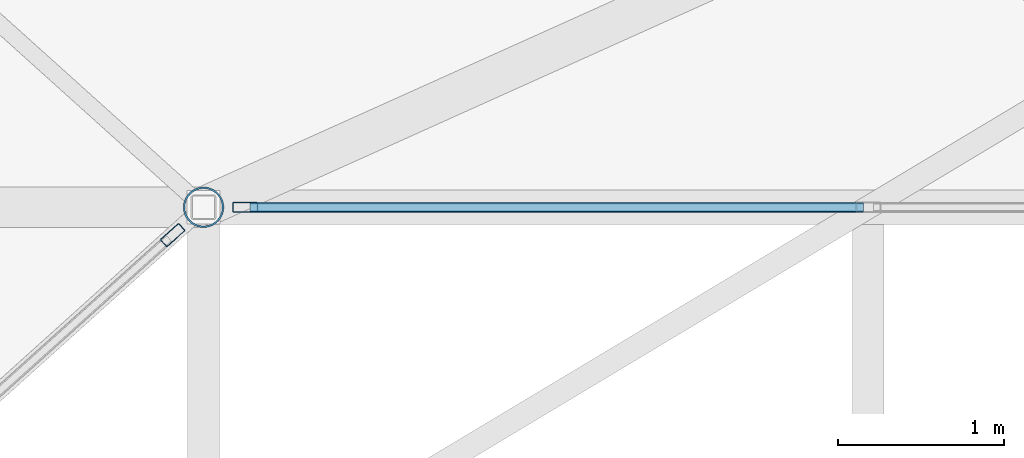
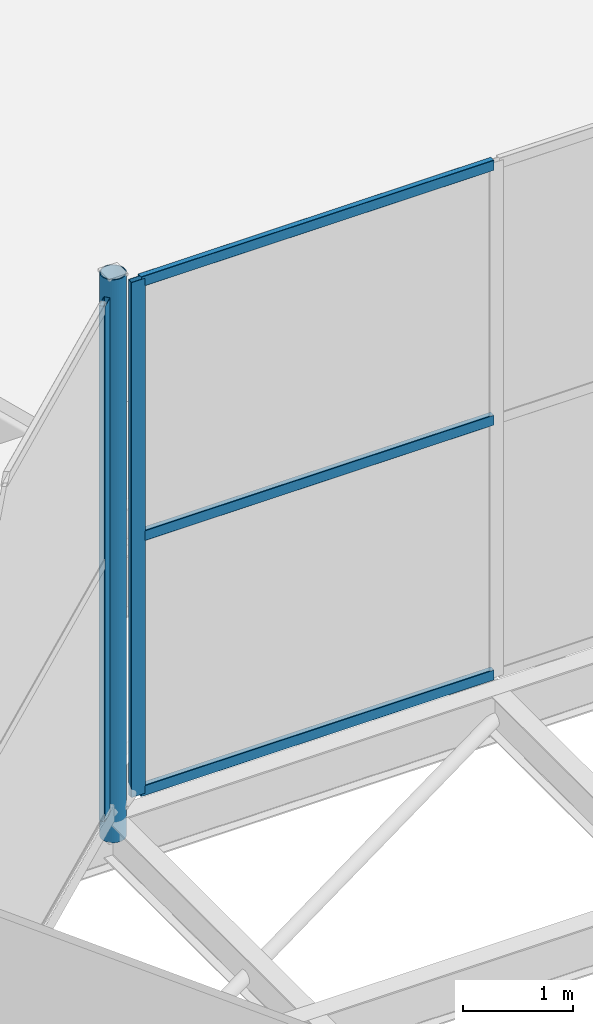
# One storey, part 72 of 239: 6 members, 2 elements without a shape of their own.
"""IFC4 building model written with IfcOpenShell, lengths in metres."""

from ifc_helpers import new_model, si_unit, direction, frame, origin, origin_2d, place, context, subcontext, project, spatial, hollow_rectangle, hollow_circle, extrude, material, layer, layer_set, material_profile, profile_set, type_object, element, aggregate, save


model = new_model("IFC4")

# Units and contexts
model_context = context("Model", 3, precision=1e-05, world=origin(), true_north=direction((0.0, 1.0)))
body_context = subcontext(model_context, "Body", "Model", "MODEL_VIEW")
ifc_project = project(units=[si_unit("LENGTHUNIT", "METRE"), si_unit("AREAUNIT", "SQUARE_METRE"), si_unit("VOLUMEUNIT", "CUBIC_METRE"), si_unit("PLANEANGLEUNIT", "RADIAN"), si_unit("MASSUNIT", "GRAM", prefix="KILO")], contexts=[model_context])

# Site, building, storey
site_placement = place(None, origin())
site = spatial("IfcSite", under=ifc_project, at=site_placement, CompositionType="ELEMENT")
building_placement = place(site_placement, origin())
building = spatial("IfcBuilding", under=site, at=building_placement, Name="Dunvalen Ferry Terminal", CompositionType="ELEMENT")
storey_placement = place(building_placement, frame((0.0, 0.0, 9.840087890625)))
storey = spatial("IfcBuildingStorey", under=building, at=storey_placement, Name="L02", CompositionType="ELEMENT", Elevation=9.840087890625)

# Curtain wall, member
ifc_material_1 = material(Name="Anodised marine aluminium and solar-control glazing", Category="aluminium")
ifc_layer_1 = layer(ifc_material_1, 0.179931640625, Name="Anodised marine aluminium and solar-control glazing")
ifc_layer_set_1 = layer_set([ifc_layer_1], Name="Anodised marine aluminium and solar-control glazing")
curtain_wall_type_1 = type_object("IfcCurtainWallType", Name="ENV-CW-SYS-05", PredefinedType="NOTDEFINED", material=ifc_layer_set_1)
curtain_wall_1_placement = place(storey_placement, origin())
curtain_wall_1 = element("IfcCurtainWall", 1, at=curtain_wall_1_placement, inside=storey, type_object=curtain_wall_type_1, Name="L02 Curtain Wall CW-HEX-16-SK-5", PredefinedType="NOTDEFINED")
ifc_material_2 = material(Name="Anodised marine aluminium EN AW-6063 T6", Category="aluminium")
ifc_material_profile_1 = material_profile(ifc_material_2, hollow_rectangle(XDim=0.06005859375, YDim=0.14990234375, WallThickness=0.00341796875, InnerFilletRadius=0.00341796875, OuterFilletRadius=0.007080078125, at=origin_2d()), Name="Anodised marine aluminium EN AW-6063 T6")
ifc_profile_set_1 = profile_set([ifc_material_profile_1], Name="Anodised marine aluminium EN AW-6063 T6")
member_type_1 = type_object("IfcMemberType", Name="ENV-CW-MUL-3", PredefinedType="MULLION", material=ifc_profile_set_1)
member_1_placement = place(storey_placement, frame((26.25, 82.800048828125, 1.139892578125), z_axis=(0.0, 0.0, 1.0), x_axis=(0.0, -1.0, 0.0)))
member_1 = element("IfcMember", 2, at=member_1_placement, type_object=member_type_1, Name="CW-05 mullion 3", PredefinedType="MULLION", context=body_context, shape_type="SweptSolid", body=[
    extrude(hollow_rectangle(XDim=0.06005859375, YDim=0.14990234375, WallThickness=0.00341796875, InnerFilletRadius=0.00341796875, OuterFilletRadius=0.007080078125, at=origin_2d()), origin(), (0.0, 0.0, 1.0), 5.699951171875),
])

ifc_layer_2 = layer(ifc_material_1, 0.179931640625, Name="Anodised marine aluminium and solar-control glazing")
ifc_layer_set_2 = layer_set([ifc_layer_2], Name="Anodised marine aluminium and solar-control glazing")
curtain_wall_type_2 = type_object("IfcCurtainWallType", Name="ENV-CW-SYS-06", PredefinedType="NOTDEFINED", material=ifc_layer_set_2)
curtain_wall_2_placement = place(storey_placement, origin())
curtain_wall_2 = element("IfcCurtainWall", 3, at=curtain_wall_2_placement, inside=storey, type_object=curtain_wall_type_2, Name="L02 Curtain Wall CW-HEX-16-SK-6", PredefinedType="NOTDEFINED")
member_2_placement = place(storey_placement, frame((25.814208984375, 82.6328125, 1.139892578125), z_axis=(0.0, 0.0, 1.0), x_axis=(0.668953550894, -0.74330420875, 0.0)))
member_2 = element("IfcMember", 4, at=member_2_placement, type_object=member_type_1, Name="CW-06 mullion 1", PredefinedType="MULLION", context=body_context, shape_type="SweptSolid", body=[
    extrude(hollow_rectangle(XDim=0.06005859375, YDim=0.14990234375, WallThickness=0.00341796875, InnerFilletRadius=0.00341796875, OuterFilletRadius=0.007080078125, at=origin_2d()), origin(), (0.0, 0.0, 1.0), 5.699951171875),
])
aggregate(curtain_wall_2, [member_2])

# Member
ifc_material_profile_2 = material_profile(ifc_material_2, hollow_rectangle(XDim=0.06005859375, YDim=0.114990234375, WallThickness=0.0029296875, InnerFilletRadius=0.0029296875, OuterFilletRadius=0.006103515625, at=origin_2d()), Name="Anodised marine aluminium EN AW-6063 T6")
ifc_profile_set_2 = profile_set([ifc_material_profile_2], Name="Anodised marine aluminium EN AW-6063 T6")
member_type_2 = type_object("IfcMemberType", Name="ENV-CW-TRN-3", PredefinedType="USERDEFINED", material=ifc_profile_set_2)
member_3_placement = place(storey_placement, frame((29.969970703125, 82.800048828125, 1.169921875), z_axis=(-1.0, 0.0, 0.0), x_axis=(0.0, -1.0, 0.0)))
member_3 = element("IfcMember", 5, at=member_3_placement, type_object=member_type_2, Name="CW-05 transom 2.1", ObjectType="TRANSOM", PredefinedType="USERDEFINED", context=body_context, shape_type="SweptSolid", body=[
    extrude(hollow_rectangle(XDim=0.06005859375, YDim=0.114990234375, WallThickness=0.0029296875, InnerFilletRadius=0.0029296875, OuterFilletRadius=0.006103515625, at=origin_2d()), origin(), (0.0, 0.0, 1.0), 3.68994140625),
])

member_4_placement = place(storey_placement, frame((29.969970703125, 82.800048828125, 3.989990234375), z_axis=(-1.0, 0.0, 0.0), x_axis=(0.0, -1.0, 0.0)))
member_4 = element("IfcMember", 6, at=member_4_placement, type_object=member_type_2, Name="CW-05 transom 2.2", ObjectType="TRANSOM", PredefinedType="USERDEFINED", context=body_context, shape_type="SweptSolid", body=[
    extrude(hollow_rectangle(XDim=0.06005859375, YDim=0.114990234375, WallThickness=0.0029296875, InnerFilletRadius=0.0029296875, OuterFilletRadius=0.006103515625, at=origin_2d()), origin(), (0.0, 0.0, 1.0), 3.68994140625),
])

member_5_placement = place(storey_placement, frame((29.969970703125, 82.800048828125, 6.809814453125), z_axis=(-1.0, 0.0, 0.0), x_axis=(0.0, -1.0, 0.0)))
member_5 = element("IfcMember", 7, at=member_5_placement, type_object=member_type_2, Name="CW-05 transom 2.3", ObjectType="TRANSOM", PredefinedType="USERDEFINED", context=body_context, shape_type="SweptSolid", body=[
    extrude(hollow_rectangle(XDim=0.06005859375, YDim=0.114990234375, WallThickness=0.0029296875, InnerFilletRadius=0.0029296875, OuterFilletRadius=0.006103515625, at=origin_2d()), origin(), (0.0, 0.0, 1.0), 3.68994140625),
])

aggregate(curtain_wall_1, [member_1, member_3, member_4, member_5])

ifc_material_3 = material(Name="Steel S355", Category="steel")
ifc_material_profile_3 = material_profile(ifc_material_3, hollow_circle(Radius=0.122314453125, WallThickness=0.010009765625, at=origin_2d()), Name="Steel S355")
ifc_profile_set_3 = profile_set([ifc_material_profile_3], Name="Steel S355")
member_type_3 = type_object("IfcMemberType", Name="STR-MB-CHS244", PredefinedType="STRUT", material=ifc_profile_set_3)
member_6_placement = place(storey_placement, frame((26.0, 82.800048828125, 0.77001953125), z_axis=(0.0, 0.0, 1.0), x_axis=(1.0, 0.0, 0.0)))
element("IfcMember", 8, at=member_6_placement, inside=storey, type_object=member_type_3, Name="HEX-16 Skylight Lantern Corner Strut 6", PredefinedType="STRUT", context=body_context, shape_type="SweptSolid", body=[
    extrude(hollow_circle(Radius=0.122314453125, WallThickness=0.010009765625, at=origin_2d()), origin(), (0.0, 0.0, 1.0), 6.22998046875),
])

save(model, "model.ifc")
